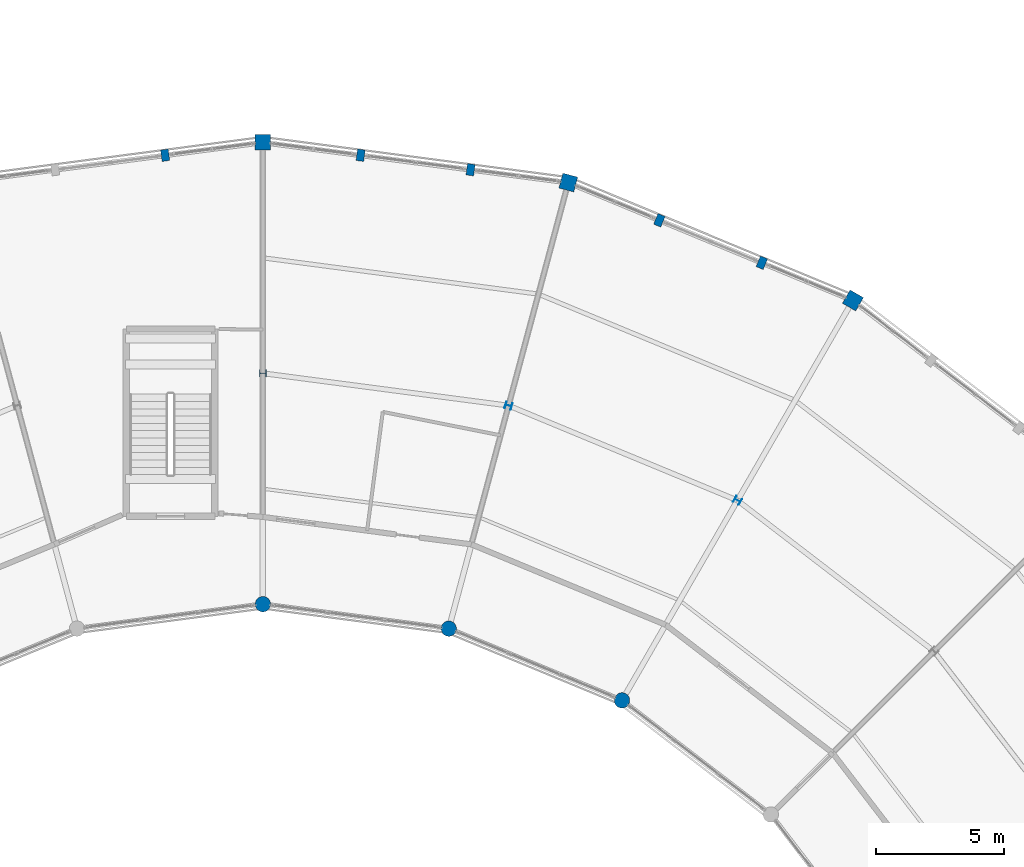
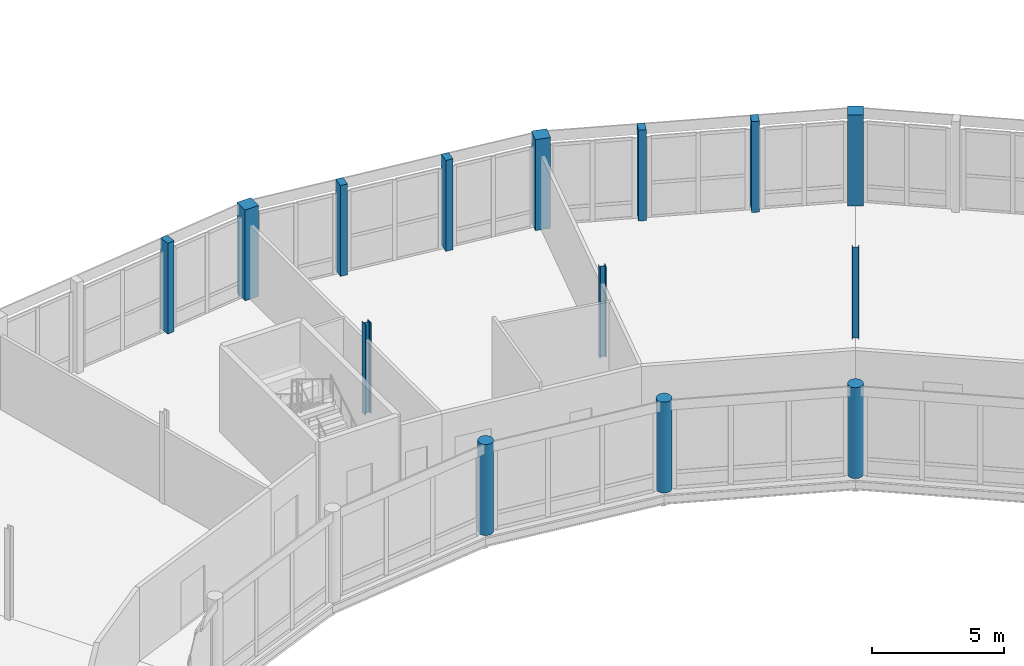
# One storey, part 13 of 185: 14 columns.
"""IFC4 building model written with IfcOpenShell, lengths in metres."""

from ifc_helpers import new_model, si_unit, direction, frame, origin, origin_2d, place, context, subcontext, project, spatial, rectangle, circle, i_section, extrude, material, material_profile, profile_set, type_object, element, save


model = new_model("IFC4")

# Units and contexts
model_context = context("Model", 3, precision=1e-05, world=origin(), true_north=direction((0.0, 1.0)))
body_context = subcontext(model_context, "Body", "Model", "MODEL_VIEW")
ifc_project = project(units=[si_unit("LENGTHUNIT", "METRE"), si_unit("AREAUNIT", "SQUARE_METRE"), si_unit("VOLUMEUNIT", "CUBIC_METRE"), si_unit("PLANEANGLEUNIT", "RADIAN"), si_unit("MASSUNIT", "GRAM", prefix="KILO")], contexts=[model_context])

# Site, building, storey
site_placement = place(None, origin())
site = spatial("IfcSite", under=ifc_project, at=site_placement, CompositionType="ELEMENT")
building_placement = place(site_placement, origin())
building = spatial("IfcBuilding", under=site, at=building_placement, Name="Vondelvale Polytechnic", CompositionType="ELEMENT")
storey_placement = place(building_placement, frame((0.0, 0.0, 9.60009765625)))
storey = spatial("IfcBuildingStorey", under=building, at=storey_placement, Name="L02", CompositionType="ELEMENT", Elevation=9.60009765625)

# Columns
ifc_material_1 = material(Name="Glulam GL18 structural Tasmanian oak (fb = 42 MPa)", Category="wood")
ifc_material_profile_1 = material_profile(ifc_material_1, rectangle(XDim=0.300048828125, YDim=0.449951171875, at=origin_2d()), Name="GL-POST-300x450")
ifc_profile_set_1 = profile_set([ifc_material_profile_1], Name="Glulam GL18 structural Tasmanian oak (fb = 42 MPa)")
column_type_1 = type_object("IfcColumnType", Name="COL-GLULAM-300x450", PredefinedType="PILASTER", material=ifc_profile_set_1)
for number, where, z_axis, x_axis, name in (
    (1, (121.44970703125, 113.3076171875, 0.0), (0.0, 0.0, 1.0), (-0.923879532511, 0.382683432365, 0.0), "L02 ring outer glulam timber post C04-P1"),
    (2, (117.455810546875, 114.962158203125, 0.0), (0.0, 0.0, 1.0), (-0.923879532511, 0.382683432365, 0.0), "L02 ring outer glulam timber post C04-P2"),
    (3, (110.095947265625, 116.93408203125, 0.0), (0.0, 0.0, 1.0), (-0.991444861374, 0.13052619222, 0.0), "L02 ring outer glulam timber post C05-P1"),
    (4, (105.809814453125, 117.498291015625, 0.0), (0.0, 0.0, 1.0), (-0.991444861374, 0.13052619222, 0.0), "L02 ring outer glulam timber post C05-P2"),
    (5, (98.190185546875, 117.498291015625, 0.0), (0.0, 0.0, 1.0), (0.991444861374, 0.13052619222, 0.0), "L02 ring outer glulam timber post C06-P1"),
):
    element("IfcColumn", number, at=place(storey_placement, frame(where, z_axis=z_axis, x_axis=x_axis)), inside=storey, type_object=column_type_1, Name=name, PredefinedType="PILASTER", context=body_context, shape_type="SweptSolid", body=[
        extrude(rectangle(XDim=0.300048828125, YDim=0.449951171875, at=origin_2d()), origin(), (0.0, 0.0, 1.0), 4.199951171875),
    ])
ifc_material_2 = material(Name="Concrete N50 (f'c = 50 MPa)", Category="concrete")
ifc_material_profile_2 = material_profile(ifc_material_2, rectangle(XDim=0.60009765625, YDim=0.60009765625, at=origin_2d()), Name="RC-COL-600x600")
ifc_profile_set_2 = profile_set([ifc_material_profile_2], Name="Concrete N50 (f'c = 50 MPa)")
column_type_2 = type_object("IfcColumnType", Name="COL-RC600", PredefinedType="COLUMN", material=ifc_profile_set_2)
for number, where, z_axis, x_axis, name in (
    (6, (125.0, 111.837158203125, 0.0), (0.0, 0.0, 1.0), (0.5, 0.866025403784, 0.0), "L02 courtyard ring column S04-RO"),
    (7, (113.90576171875, 116.4326171875, 0.0), (0.0, 0.0, 1.0), (0.258819045103, 0.965925826289, 0.0), "L02 courtyard ring column S05-RO"),
    (8, (102.0, 118.0, 0.0), (0.0, 0.0, 1.0), (0.0, 1.0, 0.0), "L02 courtyard ring column S06-RO"),
):
    element("IfcColumn", number, at=place(storey_placement, frame(where, z_axis=z_axis, x_axis=x_axis)), inside=storey, type_object=column_type_2, Name=name, PredefinedType="COLUMN", context=body_context, shape_type="SweptSolid", body=[
        extrude(rectangle(XDim=0.60009765625, YDim=0.60009765625, at=origin_2d()), origin(), (0.0, 0.0, 1.0), 4.199951171875),
    ])
ifc_material_profile_3 = material_profile(ifc_material_2, circle(Radius=0.300048828125, at=origin_2d()), Name="RC-COL-D600")
ifc_profile_set_3 = profile_set([ifc_material_profile_3], Name="Concrete N50 (f'c = 50 MPa)")
column_type_3 = type_object("IfcColumnType", Name="COL-RCD600", PredefinedType="COLUMN", material=ifc_profile_set_3)
for number, where, z_axis, x_axis, name in (
    (9, (116.0, 96.248779296875, 0.0), (0.0, 0.0, 1.0), (0.5, 0.866025403784, 0.0), "L02 courtyard ring column S04-RI"),
    (10, (109.246826171875, 99.0458984375, 0.0), (0.0, 0.0, 1.0), (0.258819045103, 0.965925826289, 0.0), "L02 courtyard ring column S05-RI"),
    (11, (102.0, 100.0, 0.0), (0.0, 0.0, 1.0), (0.0, 1.0, 0.0), "L02 courtyard ring column S06-RI"),
):
    element("IfcColumn", number, at=place(storey_placement, frame(where, z_axis=z_axis, x_axis=x_axis)), inside=storey, type_object=column_type_3, Name=name, PredefinedType="COLUMN", context=body_context, shape_type="SweptSolid", body=[
        extrude(circle(Radius=0.300048828125, at=origin_2d()), origin(), (0.0, 0.0, 1.0), 4.199951171875),
    ])
ifc_material_3 = material(Name="Steel 300PLUS (fy = 300 MPa)", Category="steel")
ifc_material_profile_4 = material_profile(ifc_material_3, i_section(OverallWidth=0.256103515625, OverallDepth=0.260009765625, WebThickness=0.010498046875, FlangeThickness=0.017333984375, FilletRadius=0.013916015625, at=origin_2d()), Name="250UC89.5")
ifc_profile_set_4 = profile_set([ifc_material_profile_4], Name="Steel 300PLUS (fy = 300 MPa)")
column_type_4 = type_object("IfcColumnType", Name="COL-UC250", PredefinedType="COLUMN", material=ifc_profile_set_4)
for number, where, z_axis, x_axis, name in (
    (12, (120.5, 104.04296875, 0.0), (0.0, 0.0, 1.0), (0.5, 0.866025403784, 0.0), "L02 courtyard ring column S04-RM"),
    (13, (111.576416015625, 107.7392578125, 0.0), (0.0, 0.0, 1.0), (0.258819045103, 0.965925826289, 0.0), "L02 courtyard ring column S05-RM"),
    (14, (102.0, 109.0, 0.0), (0.0, 0.0, 1.0), (0.0, 1.0, 0.0), "L02 courtyard ring column S06-RM"),
):
    element("IfcColumn", number, at=place(storey_placement, frame(where, z_axis=z_axis, x_axis=x_axis)), inside=storey, type_object=column_type_4, Name=name, PredefinedType="COLUMN", context=body_context, shape_type="SweptSolid", body=[
        extrude(i_section(OverallWidth=0.256103515625, OverallDepth=0.260009765625, WebThickness=0.010498046875, FlangeThickness=0.017333984375, FilletRadius=0.013916015625, at=origin_2d()), origin(), (0.0, 0.0, 1.0), 4.199951171875),
    ])

save(model, "model.ifc")
